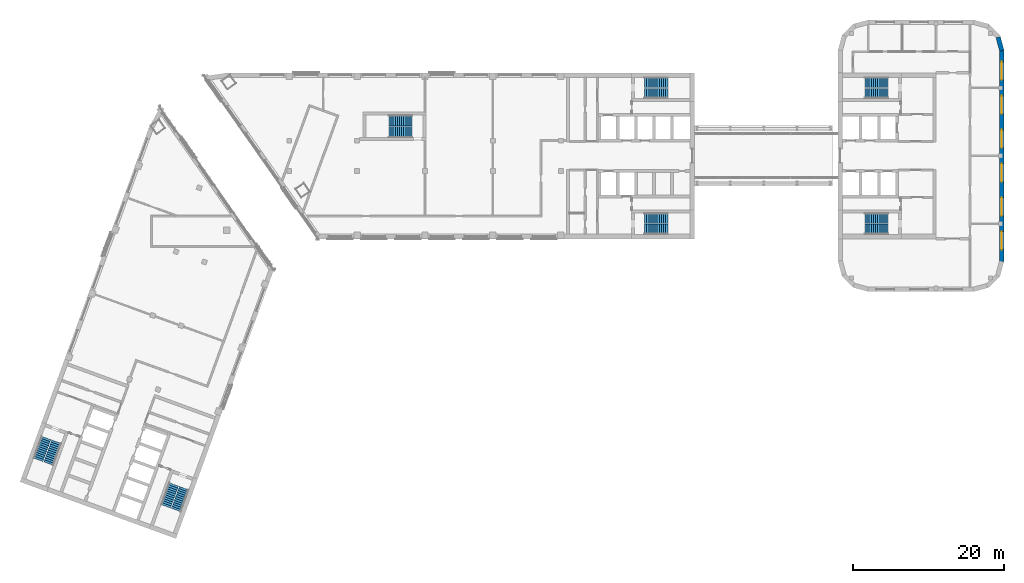
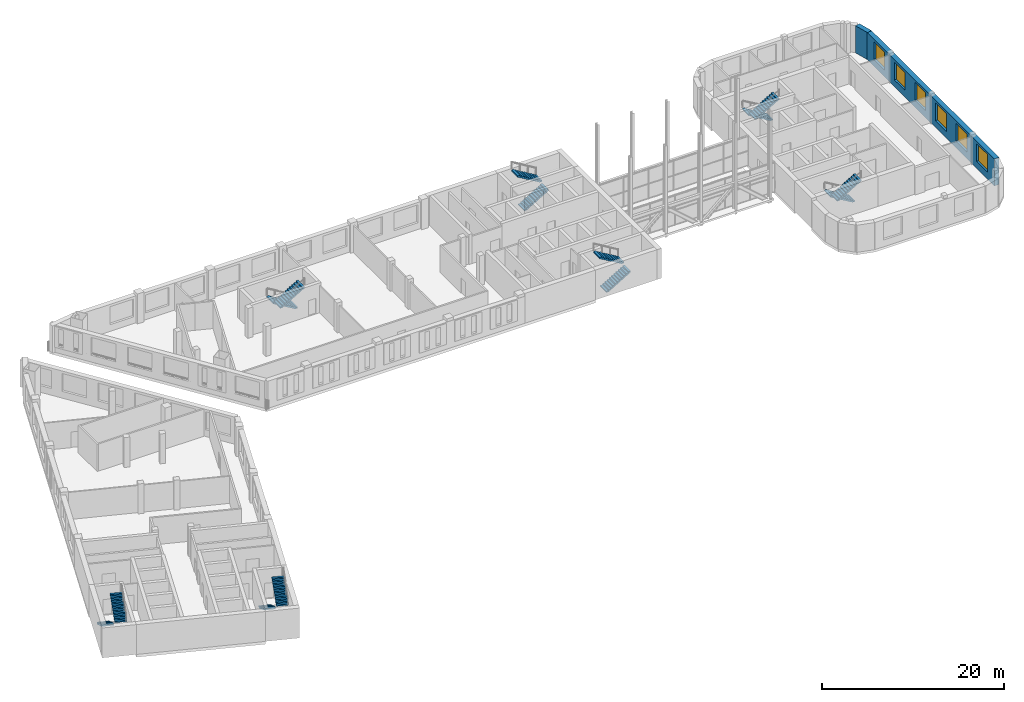
# One storey, part 10 of 11: 14 stair flights, 6 windows, 2 walls, 6 openings, 7 elements without a shape of their own.
"""IFC4 building model written with IfcOpenShell, lengths in metres."""

from ifc_helpers import new_model, si_unit, direction, frame, frame_2d, origin, place, context, subcontext, project, spatial, polyline, rectangle, outline, extrude, material, layer, layer_set, type_object, element, fill, aggregate, save


model = new_model("IFC4")

# Units and contexts
model_context = context("Model", 3, precision=1e-05, world=origin(), true_north=direction((0.0, 1.0)))
body_context = subcontext(model_context, "Body", "Model", "MODEL_VIEW")
ifc_project = project(units=[si_unit("LENGTHUNIT", "METRE"), si_unit("AREAUNIT", "SQUARE_METRE"), si_unit("VOLUMEUNIT", "CUBIC_METRE"), si_unit("PLANEANGLEUNIT", "RADIAN"), si_unit("MASSUNIT", "GRAM", prefix="KILO")], contexts=[model_context])

# Site, building, storey
site_placement = place(None, origin())
site = spatial("IfcSite", under=ifc_project, at=site_placement, CompositionType="ELEMENT")
building_placement = place(site_placement, origin())
building = spatial("IfcBuilding", under=site, at=building_placement, Name="Skarvind Civic Tower", CompositionType="ELEMENT")
storey_placement = place(building_placement, frame((0.0, 0.0, 109.0)))
storey = spatial("IfcBuildingStorey", under=building, at=storey_placement, Name="L25", CompositionType="ELEMENT", Elevation=109.0)

# Wall, openings, windows
ifc_material_1 = material(Name="Limestone masonry cladding on insulated backing", Category="masonry")
ifc_layer = layer(ifc_material_1, 0.60009765625)
ifc_layer_set = layer_set([ifc_layer], Name="WX1 STONE FACADE WALL 600")
wall_type = type_object("IfcWallType", Name="WX1 STONE FACADE WALL 600", PredefinedType="SOLIDWALL", material=ifc_layer_set)
wall_1_placement = place(storey_placement, frame((148.699951171875, 141.929931640625, 0.0), z_axis=(0.0, 0.0, 1.0), x_axis=(0.0, -1.0, 0.0)))
wall_1 = element("IfcWall", 1, at=wall_1_placement, inside=storey, type_object=wall_type, Name="STONE FACADE WALL", PredefinedType="SOLIDWALL", context=body_context, shape_type="SweptSolid", body=[
    extrude(rectangle(XDim=27.929931640625, YDim=0.60009765625, at=frame_2d((13.96484375, 0.0))), origin(), (0.0, 0.0, 1.0), 3.625),
])
opening_1_placement = place(wall_1_placement, frame((1.47998046875, 0.0, 0.89990234375)))
opening_1 = element("IfcOpeningElement", 2, at=opening_1_placement, cuts=wall_1, Name="Opening WN9", PredefinedType="OPENING", context=body_context, shape_type="SweptSolid", body=[
    extrude(rectangle(XDim=2.39990234375, YDim=2.39990234375, at=frame_2d((1.199951171875, 1.199951171875))), frame((0.0, 0.31005859375, 0.0), z_axis=(0.0, -1.0, 0.0), x_axis=(1.0, 0.0, 0.0)), (0.0, 0.0, 1.0), 0.6201171875),
])
opening_2_placement = place(wall_1_placement, frame((5.97998046875, 0.0, 0.89990234375)))
opening_2 = element("IfcOpeningElement", 3, at=opening_2_placement, cuts=wall_1, Name="Opening WN9", PredefinedType="OPENING", context=body_context, shape_type="SweptSolid", body=[
    extrude(rectangle(XDim=2.39990234375, YDim=2.39990234375, at=frame_2d((1.199951171875, 1.199951171875))), frame((0.0, 0.31005859375, 0.0), z_axis=(0.0, -1.0, 0.0), x_axis=(1.0, 0.0, 0.0)), (0.0, 0.0, 1.0), 0.6201171875),
])
opening_3_placement = place(wall_1_placement, frame((10.47998046875, 0.0, 0.89990234375)))
opening_3 = element("IfcOpeningElement", 4, at=opening_3_placement, cuts=wall_1, Name="Opening WN9", PredefinedType="OPENING", context=body_context, shape_type="SweptSolid", body=[
    extrude(rectangle(XDim=2.39990234375, YDim=2.39990234375, at=frame_2d((1.199951171875, 1.199951171875))), frame((0.0, 0.31005859375, 0.0), z_axis=(0.0, -1.0, 0.0), x_axis=(1.0, 0.0, 0.0)), (0.0, 0.0, 1.0), 0.6201171875),
])
opening_4_placement = place(wall_1_placement, frame((14.97998046875, 0.0, 0.89990234375)))
opening_4 = element("IfcOpeningElement", 5, at=opening_4_placement, cuts=wall_1, Name="Opening WN9", PredefinedType="OPENING", context=body_context, shape_type="SweptSolid", body=[
    extrude(rectangle(XDim=2.39990234375, YDim=2.39990234375, at=frame_2d((1.199951171875, 1.199951171875))), frame((0.0, 0.31005859375, 0.0), z_axis=(0.0, -1.0, 0.0), x_axis=(1.0, 0.0, 0.0)), (0.0, 0.0, 1.0), 0.6201171875),
])
opening_5_placement = place(wall_1_placement, frame((19.47998046875, 0.0, 0.89990234375)))
opening_5 = element("IfcOpeningElement", 6, at=opening_5_placement, cuts=wall_1, Name="Opening WN9", PredefinedType="OPENING", context=body_context, shape_type="SweptSolid", body=[
    extrude(rectangle(XDim=2.39990234375, YDim=2.39990234375, at=frame_2d((1.199951171875, 1.199951171875))), frame((0.0, 0.31005859375, 0.0), z_axis=(0.0, -1.0, 0.0), x_axis=(1.0, 0.0, 0.0)), (0.0, 0.0, 1.0), 0.6201171875),
])
opening_6_placement = place(wall_1_placement, frame((23.97998046875, 0.0, 0.89990234375)))
opening_6 = element("IfcOpeningElement", 7, at=opening_6_placement, cuts=wall_1, Name="Opening WN9", PredefinedType="OPENING", context=body_context, shape_type="SweptSolid", body=[
    extrude(rectangle(XDim=2.39990234375, YDim=2.39990234375, at=frame_2d((1.199951171875, 1.199951171875))), frame((0.0, 0.31005859375, 0.0), z_axis=(0.0, -1.0, 0.0), x_axis=(1.0, 0.0, 0.0)), (0.0, 0.0, 1.0), 0.6201171875),
])
ifc_material_2 = material(Name="Timber frame, double glazing, timber-lined reveal", Category="wood")
window_type = type_object("IfcWindowType", Name="WN9 COMPANION TOWER WINDOW 2400 x 2400", PartitioningType="SINGLE_PANEL", PredefinedType="WINDOW", material=ifc_material_2)
window_1_placement = place(opening_1_placement, origin())
window_1 = element("IfcWindow", 8, at=window_1_placement, inside=storey, type_object=window_type, Name="WN9 WINDOW", OverallHeight=2.39990234375, OverallWidth=2.39990234375, PartitioningType="SINGLE_PANEL", PredefinedType="WINDOW", context=body_context, shape_type="SweptSolid", body=[
    extrude(rectangle(XDim=2.39990234375, YDim=2.39990234375, at=frame_2d((1.199951171875, 1.199951171875))), frame((0.0, 0.030029296875, 0.0), z_axis=(0.0, -1.0, 0.0), x_axis=(1.0, 0.0, 0.0)), (0.0, 0.0, 1.0), 0.06005859375),
])
fill(opening_1, window_1)
window_2_placement = place(opening_2_placement, origin())
window_2 = element("IfcWindow", 9, at=window_2_placement, inside=storey, type_object=window_type, Name="WN9 WINDOW", OverallHeight=2.39990234375, OverallWidth=2.39990234375, PartitioningType="SINGLE_PANEL", PredefinedType="WINDOW", context=body_context, shape_type="SweptSolid", body=[
    extrude(rectangle(XDim=2.39990234375, YDim=2.39990234375, at=frame_2d((1.199951171875, 1.199951171875))), frame((0.0, 0.030029296875, 0.0), z_axis=(0.0, -1.0, 0.0), x_axis=(1.0, 0.0, 0.0)), (0.0, 0.0, 1.0), 0.06005859375),
])
fill(opening_2, window_2)
window_3_placement = place(opening_3_placement, origin())
window_3 = element("IfcWindow", 10, at=window_3_placement, inside=storey, type_object=window_type, Name="WN9 WINDOW", OverallHeight=2.39990234375, OverallWidth=2.39990234375, PartitioningType="SINGLE_PANEL", PredefinedType="WINDOW", context=body_context, shape_type="SweptSolid", body=[
    extrude(rectangle(XDim=2.39990234375, YDim=2.39990234375, at=frame_2d((1.199951171875, 1.199951171875))), frame((0.0, 0.030029296875, 0.0), z_axis=(0.0, -1.0, 0.0), x_axis=(1.0, 0.0, 0.0)), (0.0, 0.0, 1.0), 0.06005859375),
])
fill(opening_3, window_3)
window_4_placement = place(opening_4_placement, origin())
window_4 = element("IfcWindow", 11, at=window_4_placement, inside=storey, type_object=window_type, Name="WN9 WINDOW", OverallHeight=2.39990234375, OverallWidth=2.39990234375, PartitioningType="SINGLE_PANEL", PredefinedType="WINDOW", context=body_context, shape_type="SweptSolid", body=[
    extrude(rectangle(XDim=2.39990234375, YDim=2.39990234375, at=frame_2d((1.199951171875, 1.199951171875))), frame((0.0, 0.030029296875, 0.0), z_axis=(0.0, -1.0, 0.0), x_axis=(1.0, 0.0, 0.0)), (0.0, 0.0, 1.0), 0.06005859375),
])
fill(opening_4, window_4)
window_5_placement = place(opening_5_placement, origin())
window_5 = element("IfcWindow", 12, at=window_5_placement, inside=storey, type_object=window_type, Name="WN9 WINDOW", OverallHeight=2.39990234375, OverallWidth=2.39990234375, PartitioningType="SINGLE_PANEL", PredefinedType="WINDOW", context=body_context, shape_type="SweptSolid", body=[
    extrude(rectangle(XDim=2.39990234375, YDim=2.39990234375, at=frame_2d((1.199951171875, 1.199951171875))), frame((0.0, 0.030029296875, 0.0), z_axis=(0.0, -1.0, 0.0), x_axis=(1.0, 0.0, 0.0)), (0.0, 0.0, 1.0), 0.06005859375),
])
fill(opening_5, window_5)
window_6_placement = place(opening_6_placement, origin())
window_6 = element("IfcWindow", 13, at=window_6_placement, inside=storey, type_object=window_type, Name="WN9 WINDOW", OverallHeight=2.39990234375, OverallWidth=2.39990234375, PartitioningType="SINGLE_PANEL", PredefinedType="WINDOW", context=body_context, shape_type="SweptSolid", body=[
    extrude(rectangle(XDim=2.39990234375, YDim=2.39990234375, at=frame_2d((1.199951171875, 1.199951171875))), frame((0.0, 0.030029296875, 0.0), z_axis=(0.0, -1.0, 0.0), x_axis=(1.0, 0.0, 0.0)), (0.0, 0.0, 1.0), 0.06005859375),
])
fill(opening_6, window_6)

# Wall
wall_2_placement = place(storey_placement, frame((148.228759765625, 143.719482421875, 0.0), z_axis=(0.0, 0.0, 1.0), x_axis=(0.258773254036, -0.965938094805, 0.0)))
element("IfcWall", 14, at=wall_2_placement, inside=storey, type_object=wall_type, Name="STONE FACADE WALL", PredefinedType="SOLIDWALL", context=body_context, shape_type="SweptSolid", body=[
    extrude(rectangle(XDim=1.860595703125, YDim=0.60009765625, at=frame_2d((0.93017578125, 0.0))), origin(), (0.0, 0.0, 1.0), 3.625),
])

# Stair, stair flights
ifc_material_3 = material(Name="Concrete C40/50", Category="concrete")
stair_type_1 = type_object("IfcStairType", Name="Exit stair 1450, half-turn, concrete", PredefinedType="HALF_TURN_STAIR", material=ifc_material_3)
stair_1_placement = place(storey_placement, origin())
stair_1 = element("IfcStair", 15, at=stair_1_placement, inside=storey, type_object=stair_type_1, Name="Exit stair CM", PredefinedType="HALF_TURN_STAIR")
stair_flight_type_1 = type_object("IfcStairFlightType", Name="Stair flight 1450, concrete", PredefinedType="STRAIGHT", material=ifc_material_3)
stair_flight_1_placement = place(storey_placement, frame((70.550048828125, 132.675048828125, 0.0), z_axis=(0.0, 0.0, 1.0), x_axis=(-1.0, 0.0, 0.0)))
stair_flight_1 = element("IfcStairFlight", 16, at=stair_flight_1_placement, type_object=stair_flight_type_1, Name="ST-CM flight 1", NumberOfRisers=12, NumberOfTreads=11, PredefinedType="STRAIGHT", RiserHeight=0.166666667, TreadLength=0.28, context=body_context, shape_type="SweptSolid", body=[
    extrude(outline(polyline([(0.0, 0.0), (0.0, 0.166748046875), (0.280029296875, 0.166748046875), (0.280029296875, 0.333251953125), (0.56005859375, 0.333251953125), (0.56005859375, 0.5), (0.840087890625, 0.5), (0.840087890625, 0.666748046875), (1.1201171875, 0.666748046875), (1.1201171875, 0.833251953125), (1.39990234375, 0.833251953125), (1.39990234375, 1.0), (1.679931640625, 1.0), (1.679931640625, 1.166748046875), (1.9599609375, 1.166748046875), (1.9599609375, 1.333251953125), (2.239990234375, 1.333251953125), (2.239990234375, 1.5), (2.52001953125, 1.5), (2.52001953125, 1.666748046875), (2.800048828125, 1.666748046875), (2.800048828125, 1.833251953125), (3.080078125, 1.833251953125), (3.080078125, 2.0), (3.080078125, 1.658935546875), (0.29296875, 0.0), (0.0, 0.0)])), frame((0.0, 0.72509765625, 0.0), z_axis=(0.0, -1.0, 0.0), x_axis=(1.0, 0.0, 0.0)), (0.0, 0.0, 1.0), 1.449951171875),
])
stair_flight_2_placement = place(storey_placement, frame((67.469970703125, 131.125, 2.0), z_axis=(0.0, 0.0, 1.0), x_axis=(1.0, 0.0, 0.0)))
stair_flight_2 = element("IfcStairFlight", 17, at=stair_flight_2_placement, type_object=stair_flight_type_1, Name="ST-CM flight 2", NumberOfRisers=12, NumberOfTreads=11, PredefinedType="STRAIGHT", RiserHeight=0.166666667, TreadLength=0.28, context=body_context, shape_type="SweptSolid", body=[
    extrude(outline(polyline([(0.0, 0.0), (0.0, 0.166748046875), (0.280029296875, 0.166748046875), (0.280029296875, 0.333251953125), (0.56005859375, 0.333251953125), (0.56005859375, 0.5), (0.840087890625, 0.5), (0.840087890625, 0.666748046875), (1.1201171875, 0.666748046875), (1.1201171875, 0.833251953125), (1.39990234375, 0.833251953125), (1.39990234375, 1.0), (1.679931640625, 1.0), (1.679931640625, 1.166748046875), (1.9599609375, 1.166748046875), (1.9599609375, 1.333251953125), (2.239990234375, 1.333251953125), (2.239990234375, 1.5), (2.52001953125, 1.5), (2.52001953125, 1.666748046875), (2.800048828125, 1.666748046875), (2.800048828125, 1.833251953125), (3.080078125, 1.833251953125), (3.080078125, 2.0), (3.080078125, 1.658935546875), (0.29296875, 0.0), (0.0, 0.0)])), frame((0.0, 0.72509765625, 0.0), z_axis=(0.0, -1.0, 0.0), x_axis=(1.0, 0.0, 0.0)), (0.0, 0.0, 1.0), 1.449951171875),
])
aggregate(stair_1, [stair_flight_1, stair_flight_2])

stair_type_2 = type_object("IfcStairType", Name="Exit stair, half-turn, concrete", PredefinedType="HALF_TURN_STAIR", material=ifc_material_3)
stair_2_placement = place(storey_placement, origin())
stair_2 = element("IfcStair", 18, at=stair_2_placement, inside=storey, type_object=stair_type_2, Name="Exit stair C1S", PredefinedType="HALF_TURN_STAIR")
stair_flight_type_2 = type_object("IfcStairFlightType", Name="Stair flight, concrete", PredefinedType="STRAIGHT", material=ifc_material_3)
stair_flight_3_placement = place(storey_placement, frame((101.35009765625, 136.27490234375, 0.0), z_axis=(0.0, 0.0, 1.0), x_axis=(1.0, 0.0, 0.0)))
stair_flight_3 = element("IfcStairFlight", 19, at=stair_flight_3_placement, type_object=stair_flight_type_2, Name="ST-C1S flight 1", NumberOfRisers=12, NumberOfTreads=11, PredefinedType="STRAIGHT", RiserHeight=0.166666667, TreadLength=0.28, context=body_context, shape_type="SweptSolid", body=[
    extrude(outline(polyline([(0.0, 0.0), (0.0, 0.166748046875), (0.280029296875, 0.166748046875), (0.280029296875, 0.333251953125), (0.56005859375, 0.333251953125), (0.56005859375, 0.5), (0.840087890625, 0.5), (0.840087890625, 0.666748046875), (1.1201171875, 0.666748046875), (1.1201171875, 0.833251953125), (1.39990234375, 0.833251953125), (1.39990234375, 1.0), (1.679931640625, 1.0), (1.679931640625, 1.166748046875), (1.9599609375, 1.166748046875), (1.9599609375, 1.333251953125), (2.239990234375, 1.333251953125), (2.239990234375, 1.5), (2.52001953125, 1.5), (2.52001953125, 1.666748046875), (2.800048828125, 1.666748046875), (2.800048828125, 1.833251953125), (3.080078125, 1.833251953125), (3.080078125, 2.0), (3.080078125, 1.658935546875), (0.29296875, 0.0), (0.0, 0.0)])), frame((0.0, 0.675048828125, 0.0), z_axis=(0.0, -1.0, 0.0), x_axis=(1.0, 0.0, 0.0)), (0.0, 0.0, 1.0), 1.35009765625),
])
stair_flight_4_placement = place(storey_placement, frame((104.429931640625, 137.72509765625, 2.0), z_axis=(0.0, 0.0, 1.0), x_axis=(-1.0, 0.0, 0.0)))
stair_flight_4 = element("IfcStairFlight", 20, at=stair_flight_4_placement, type_object=stair_flight_type_2, Name="ST-C1S flight 2", NumberOfRisers=12, NumberOfTreads=11, PredefinedType="STRAIGHT", RiserHeight=0.166666667, TreadLength=0.28, context=body_context, shape_type="SweptSolid", body=[
    extrude(outline(polyline([(0.0, 0.0), (0.0, 0.166748046875), (0.280029296875, 0.166748046875), (0.280029296875, 0.333251953125), (0.56005859375, 0.333251953125), (0.56005859375, 0.5), (0.840087890625, 0.5), (0.840087890625, 0.666748046875), (1.1201171875, 0.666748046875), (1.1201171875, 0.833251953125), (1.39990234375, 0.833251953125), (1.39990234375, 1.0), (1.679931640625, 1.0), (1.679931640625, 1.166748046875), (1.9599609375, 1.166748046875), (1.9599609375, 1.333251953125), (2.239990234375, 1.333251953125), (2.239990234375, 1.5), (2.52001953125, 1.5), (2.52001953125, 1.666748046875), (2.800048828125, 1.666748046875), (2.800048828125, 1.833251953125), (3.080078125, 1.833251953125), (3.080078125, 2.0), (3.080078125, 1.658935546875), (0.29296875, 0.0), (0.0, 0.0)])), frame((0.0, 0.675048828125, 0.0), z_axis=(0.0, -1.0, 0.0), x_axis=(1.0, 0.0, 0.0)), (0.0, 0.0, 1.0), 1.35009765625),
])
aggregate(stair_2, [stair_flight_3, stair_flight_4])

stair_3_placement = place(storey_placement, origin())
stair_3 = element("IfcStair", 21, at=stair_3_placement, inside=storey, type_object=stair_type_2, Name="Exit stair C1N", PredefinedType="HALF_TURN_STAIR")
stair_flight_5_placement = place(storey_placement, frame((101.35009765625, 118.27490234375, 0.0), z_axis=(0.0, 0.0, 1.0), x_axis=(1.0, 0.0, 0.0)))
stair_flight_5 = element("IfcStairFlight", 22, at=stair_flight_5_placement, type_object=stair_flight_type_2, Name="ST-C1N flight 1", NumberOfRisers=12, NumberOfTreads=11, PredefinedType="STRAIGHT", RiserHeight=0.166666667, TreadLength=0.28, context=body_context, shape_type="SweptSolid", body=[
    extrude(outline(polyline([(0.0, 0.0), (0.0, 0.166748046875), (0.280029296875, 0.166748046875), (0.280029296875, 0.333251953125), (0.56005859375, 0.333251953125), (0.56005859375, 0.5), (0.840087890625, 0.5), (0.840087890625, 0.666748046875), (1.1201171875, 0.666748046875), (1.1201171875, 0.833251953125), (1.39990234375, 0.833251953125), (1.39990234375, 1.0), (1.679931640625, 1.0), (1.679931640625, 1.166748046875), (1.9599609375, 1.166748046875), (1.9599609375, 1.333251953125), (2.239990234375, 1.333251953125), (2.239990234375, 1.5), (2.52001953125, 1.5), (2.52001953125, 1.666748046875), (2.800048828125, 1.666748046875), (2.800048828125, 1.833251953125), (3.080078125, 1.833251953125), (3.080078125, 2.0), (3.080078125, 1.658935546875), (0.29296875, 0.0), (0.0, 0.0)])), frame((0.0, 0.675048828125, 0.0), z_axis=(0.0, -1.0, 0.0), x_axis=(1.0, 0.0, 0.0)), (0.0, 0.0, 1.0), 1.35009765625),
])
stair_flight_6_placement = place(storey_placement, frame((104.429931640625, 119.72509765625, 2.0), z_axis=(0.0, 0.0, 1.0), x_axis=(-1.0, 0.0, 0.0)))
stair_flight_6 = element("IfcStairFlight", 23, at=stair_flight_6_placement, type_object=stair_flight_type_2, Name="ST-C1N flight 2", NumberOfRisers=12, NumberOfTreads=11, PredefinedType="STRAIGHT", RiserHeight=0.166666667, TreadLength=0.28, context=body_context, shape_type="SweptSolid", body=[
    extrude(outline(polyline([(0.0, 0.0), (0.0, 0.166748046875), (0.280029296875, 0.166748046875), (0.280029296875, 0.333251953125), (0.56005859375, 0.333251953125), (0.56005859375, 0.5), (0.840087890625, 0.5), (0.840087890625, 0.666748046875), (1.1201171875, 0.666748046875), (1.1201171875, 0.833251953125), (1.39990234375, 0.833251953125), (1.39990234375, 1.0), (1.679931640625, 1.0), (1.679931640625, 1.166748046875), (1.9599609375, 1.166748046875), (1.9599609375, 1.333251953125), (2.239990234375, 1.333251953125), (2.239990234375, 1.5), (2.52001953125, 1.5), (2.52001953125, 1.666748046875), (2.800048828125, 1.666748046875), (2.800048828125, 1.833251953125), (3.080078125, 1.833251953125), (3.080078125, 2.0), (3.080078125, 1.658935546875), (0.29296875, 0.0), (0.0, 0.0)])), frame((0.0, 0.675048828125, 0.0), z_axis=(0.0, -1.0, 0.0), x_axis=(1.0, 0.0, 0.0)), (0.0, 0.0, 1.0), 1.35009765625),
])
aggregate(stair_3, [stair_flight_5, stair_flight_6])

stair_4_placement = place(storey_placement, origin())
stair_4 = element("IfcStair", 24, at=stair_4_placement, inside=storey, type_object=stair_type_2, Name="Exit stair C2S", PredefinedType="HALF_TURN_STAIR")
stair_flight_7_placement = place(storey_placement, frame((38.949462890625, 84.43408203125, 0.0), z_axis=(0.0, 0.0, 1.0), x_axis=(-0.342020143326, -0.939692620786, 0.0)))
stair_flight_7 = element("IfcStairFlight", 25, at=stair_flight_7_placement, type_object=stair_flight_type_2, Name="ST-C2S flight 1", NumberOfRisers=12, NumberOfTreads=11, PredefinedType="STRAIGHT", RiserHeight=0.166666667, TreadLength=0.28, context=body_context, shape_type="SweptSolid", body=[
    extrude(outline(polyline([(0.0, 0.0), (0.0, 0.166748046875), (0.280029296875, 0.166748046875), (0.280029296875, 0.333251953125), (0.56005859375, 0.333251953125), (0.56005859375, 0.5), (0.840087890625, 0.5), (0.840087890625, 0.666748046875), (1.1201171875, 0.666748046875), (1.1201171875, 0.833251953125), (1.39990234375, 0.833251953125), (1.39990234375, 1.0), (1.679931640625, 1.0), (1.679931640625, 1.166748046875), (1.9599609375, 1.166748046875), (1.9599609375, 1.333251953125), (2.239990234375, 1.333251953125), (2.239990234375, 1.5), (2.52001953125, 1.5), (2.52001953125, 1.666748046875), (2.800048828125, 1.666748046875), (2.800048828125, 1.833251953125), (3.080078125, 1.833251953125), (3.080078125, 2.0), (3.080078125, 1.658935546875), (0.29296875, 0.0), (0.0, 0.0)])), frame((0.0, 0.675048828125, 0.0), z_axis=(0.0, -1.0, 0.0), x_axis=(1.0, 0.0, 0.0)), (0.0, 0.0, 1.0), 1.35009765625),
])
stair_flight_8_placement = place(storey_placement, frame((39.258544921875, 81.0439453125, 2.0), z_axis=(0.0, 0.0, 1.0), x_axis=(0.342020143326, 0.939692620786, 0.0)))
stair_flight_8 = element("IfcStairFlight", 26, at=stair_flight_8_placement, type_object=stair_flight_type_2, Name="ST-C2S flight 2", NumberOfRisers=12, NumberOfTreads=11, PredefinedType="STRAIGHT", RiserHeight=0.166666667, TreadLength=0.28, context=body_context, shape_type="SweptSolid", body=[
    extrude(outline(polyline([(0.0, 0.0), (0.0, 0.166748046875), (0.280029296875, 0.166748046875), (0.280029296875, 0.333251953125), (0.56005859375, 0.333251953125), (0.56005859375, 0.5), (0.840087890625, 0.5), (0.840087890625, 0.666748046875), (1.1201171875, 0.666748046875), (1.1201171875, 0.833251953125), (1.39990234375, 0.833251953125), (1.39990234375, 1.0), (1.679931640625, 1.0), (1.679931640625, 1.166748046875), (1.9599609375, 1.166748046875), (1.9599609375, 1.333251953125), (2.239990234375, 1.333251953125), (2.239990234375, 1.5), (2.52001953125, 1.5), (2.52001953125, 1.666748046875), (2.800048828125, 1.666748046875), (2.800048828125, 1.833251953125), (3.080078125, 1.833251953125), (3.080078125, 2.0), (3.080078125, 1.658935546875), (0.29296875, 0.0), (0.0, 0.0)])), frame((0.0, 0.675048828125, 0.0), z_axis=(0.0, -1.0, 0.0), x_axis=(1.0, 0.0, 0.0)), (0.0, 0.0, 1.0), 1.35009765625),
])
aggregate(stair_4, [stair_flight_7, stair_flight_8])

stair_5_placement = place(storey_placement, origin())
stair_5 = element("IfcStair", 27, at=stair_5_placement, inside=storey, type_object=stair_type_2, Name="Exit stair C2N", PredefinedType="HALF_TURN_STAIR")
stair_flight_9_placement = place(storey_placement, frame((22.034912109375, 90.590576171875, 0.0), z_axis=(0.0, 0.0, 1.0), x_axis=(-0.342020143326, -0.939692620786, 0.0)))
stair_flight_9 = element("IfcStairFlight", 28, at=stair_flight_9_placement, type_object=stair_flight_type_2, Name="ST-C2N flight 1", NumberOfRisers=12, NumberOfTreads=11, PredefinedType="STRAIGHT", RiserHeight=0.166666667, TreadLength=0.28, context=body_context, shape_type="SweptSolid", body=[
    extrude(outline(polyline([(0.0, 0.0), (0.0, 0.166748046875), (0.280029296875, 0.166748046875), (0.280029296875, 0.333251953125), (0.56005859375, 0.333251953125), (0.56005859375, 0.5), (0.840087890625, 0.5), (0.840087890625, 0.666748046875), (1.1201171875, 0.666748046875), (1.1201171875, 0.833251953125), (1.39990234375, 0.833251953125), (1.39990234375, 1.0), (1.679931640625, 1.0), (1.679931640625, 1.166748046875), (1.9599609375, 1.166748046875), (1.9599609375, 1.333251953125), (2.239990234375, 1.333251953125), (2.239990234375, 1.5), (2.52001953125, 1.5), (2.52001953125, 1.666748046875), (2.800048828125, 1.666748046875), (2.800048828125, 1.833251953125), (3.080078125, 1.833251953125), (3.080078125, 2.0), (3.080078125, 1.658935546875), (0.29296875, 0.0), (0.0, 0.0)])), frame((0.0, 0.675048828125, 0.0), z_axis=(0.0, -1.0, 0.0), x_axis=(1.0, 0.0, 0.0)), (0.0, 0.0, 1.0), 1.35009765625),
])
stair_flight_10_placement = place(storey_placement, frame((22.343994140625, 87.2001953125, 2.0), z_axis=(0.0, 0.0, 1.0), x_axis=(0.342020143326, 0.939692620786, 0.0)))
stair_flight_10 = element("IfcStairFlight", 29, at=stair_flight_10_placement, type_object=stair_flight_type_2, Name="ST-C2N flight 2", NumberOfRisers=12, NumberOfTreads=11, PredefinedType="STRAIGHT", RiserHeight=0.166666667, TreadLength=0.28, context=body_context, shape_type="SweptSolid", body=[
    extrude(outline(polyline([(0.0, 0.0), (0.0, 0.166748046875), (0.280029296875, 0.166748046875), (0.280029296875, 0.333251953125), (0.56005859375, 0.333251953125), (0.56005859375, 0.5), (0.840087890625, 0.5), (0.840087890625, 0.666748046875), (1.1201171875, 0.666748046875), (1.1201171875, 0.833251953125), (1.39990234375, 0.833251953125), (1.39990234375, 1.0), (1.679931640625, 1.0), (1.679931640625, 1.166748046875), (1.9599609375, 1.166748046875), (1.9599609375, 1.333251953125), (2.239990234375, 1.333251953125), (2.239990234375, 1.5), (2.52001953125, 1.5), (2.52001953125, 1.666748046875), (2.800048828125, 1.666748046875), (2.800048828125, 1.833251953125), (3.080078125, 1.833251953125), (3.080078125, 2.0), (3.080078125, 1.658935546875), (0.29296875, 0.0), (0.0, 0.0)])), frame((0.0, 0.675048828125, 0.0), z_axis=(0.0, -1.0, 0.0), x_axis=(1.0, 0.0, 0.0)), (0.0, 0.0, 1.0), 1.35009765625),
])
aggregate(stair_5, [stair_flight_9, stair_flight_10])

stair_6_placement = place(storey_placement, origin())
stair_6 = element("IfcStair", 30, at=stair_6_placement, inside=storey, type_object=stair_type_2, Name="Exit stair CAS", PredefinedType="HALF_TURN_STAIR")
stair_flight_11_placement = place(storey_placement, frame((133.64990234375, 119.72509765625, 0.0), z_axis=(0.0, 0.0, 1.0), x_axis=(-1.0, 0.0, 0.0)))
stair_flight_11 = element("IfcStairFlight", 31, at=stair_flight_11_placement, type_object=stair_flight_type_2, Name="ST-CAS flight 1", NumberOfRisers=12, NumberOfTreads=11, PredefinedType="STRAIGHT", RiserHeight=0.166666667, TreadLength=0.28, context=body_context, shape_type="SweptSolid", body=[
    extrude(outline(polyline([(0.0, 0.0), (0.0, 0.166748046875), (0.280029296875, 0.166748046875), (0.280029296875, 0.333251953125), (0.56005859375, 0.333251953125), (0.56005859375, 0.5), (0.840087890625, 0.5), (0.840087890625, 0.666748046875), (1.1201171875, 0.666748046875), (1.1201171875, 0.833251953125), (1.39990234375, 0.833251953125), (1.39990234375, 1.0), (1.679931640625, 1.0), (1.679931640625, 1.166748046875), (1.9599609375, 1.166748046875), (1.9599609375, 1.333251953125), (2.239990234375, 1.333251953125), (2.239990234375, 1.5), (2.52001953125, 1.5), (2.52001953125, 1.666748046875), (2.800048828125, 1.666748046875), (2.800048828125, 1.833251953125), (3.080078125, 1.833251953125), (3.080078125, 2.0), (3.080078125, 1.658935546875), (0.29296875, 0.0), (0.0, 0.0)])), frame((0.0, 0.675048828125, 0.0), z_axis=(0.0, -1.0, 0.0), x_axis=(1.0, 0.0, 0.0)), (0.0, 0.0, 1.0), 1.35009765625),
])
stair_flight_12_placement = place(storey_placement, frame((130.570068359375, 118.27490234375, 2.0), z_axis=(0.0, 0.0, 1.0), x_axis=(1.0, 0.0, 0.0)))
stair_flight_12 = element("IfcStairFlight", 32, at=stair_flight_12_placement, type_object=stair_flight_type_2, Name="ST-CAS flight 2", NumberOfRisers=12, NumberOfTreads=11, PredefinedType="STRAIGHT", RiserHeight=0.166666667, TreadLength=0.28, context=body_context, shape_type="SweptSolid", body=[
    extrude(outline(polyline([(0.0, 0.0), (0.0, 0.166748046875), (0.280029296875, 0.166748046875), (0.280029296875, 0.333251953125), (0.56005859375, 0.333251953125), (0.56005859375, 0.5), (0.840087890625, 0.5), (0.840087890625, 0.666748046875), (1.1201171875, 0.666748046875), (1.1201171875, 0.833251953125), (1.39990234375, 0.833251953125), (1.39990234375, 1.0), (1.679931640625, 1.0), (1.679931640625, 1.166748046875), (1.9599609375, 1.166748046875), (1.9599609375, 1.333251953125), (2.239990234375, 1.333251953125), (2.239990234375, 1.5), (2.52001953125, 1.5), (2.52001953125, 1.666748046875), (2.800048828125, 1.666748046875), (2.800048828125, 1.833251953125), (3.080078125, 1.833251953125), (3.080078125, 2.0), (3.080078125, 1.658935546875), (0.29296875, 0.0), (0.0, 0.0)])), frame((0.0, 0.675048828125, 0.0), z_axis=(0.0, -1.0, 0.0), x_axis=(1.0, 0.0, 0.0)), (0.0, 0.0, 1.0), 1.35009765625),
])
aggregate(stair_6, [stair_flight_11, stair_flight_12])

stair_7_placement = place(storey_placement, origin())
stair_7 = element("IfcStair", 33, at=stair_7_placement, inside=storey, type_object=stair_type_2, Name="Exit stair CAN", PredefinedType="HALF_TURN_STAIR")
stair_flight_13_placement = place(storey_placement, frame((133.64990234375, 137.72509765625, 0.0), z_axis=(0.0, 0.0, 1.0), x_axis=(-1.0, 0.0, 0.0)))
stair_flight_13 = element("IfcStairFlight", 34, at=stair_flight_13_placement, type_object=stair_flight_type_2, Name="ST-CAN flight 1", NumberOfRisers=12, NumberOfTreads=11, PredefinedType="STRAIGHT", RiserHeight=0.166666667, TreadLength=0.28, context=body_context, shape_type="SweptSolid", body=[
    extrude(outline(polyline([(0.0, 0.0), (0.0, 0.166748046875), (0.280029296875, 0.166748046875), (0.280029296875, 0.333251953125), (0.56005859375, 0.333251953125), (0.56005859375, 0.5), (0.840087890625, 0.5), (0.840087890625, 0.666748046875), (1.1201171875, 0.666748046875), (1.1201171875, 0.833251953125), (1.39990234375, 0.833251953125), (1.39990234375, 1.0), (1.679931640625, 1.0), (1.679931640625, 1.166748046875), (1.9599609375, 1.166748046875), (1.9599609375, 1.333251953125), (2.239990234375, 1.333251953125), (2.239990234375, 1.5), (2.52001953125, 1.5), (2.52001953125, 1.666748046875), (2.800048828125, 1.666748046875), (2.800048828125, 1.833251953125), (3.080078125, 1.833251953125), (3.080078125, 2.0), (3.080078125, 1.658935546875), (0.29296875, 0.0), (0.0, 0.0)])), frame((0.0, 0.675048828125, 0.0), z_axis=(0.0, -1.0, 0.0), x_axis=(1.0, 0.0, 0.0)), (0.0, 0.0, 1.0), 1.35009765625),
])
stair_flight_14_placement = place(storey_placement, frame((130.570068359375, 136.27490234375, 2.0), z_axis=(0.0, 0.0, 1.0), x_axis=(1.0, 0.0, 0.0)))
stair_flight_14 = element("IfcStairFlight", 35, at=stair_flight_14_placement, type_object=stair_flight_type_2, Name="ST-CAN flight 2", NumberOfRisers=12, NumberOfTreads=11, PredefinedType="STRAIGHT", RiserHeight=0.166666667, TreadLength=0.28, context=body_context, shape_type="SweptSolid", body=[
    extrude(outline(polyline([(0.0, 0.0), (0.0, 0.166748046875), (0.280029296875, 0.166748046875), (0.280029296875, 0.333251953125), (0.56005859375, 0.333251953125), (0.56005859375, 0.5), (0.840087890625, 0.5), (0.840087890625, 0.666748046875), (1.1201171875, 0.666748046875), (1.1201171875, 0.833251953125), (1.39990234375, 0.833251953125), (1.39990234375, 1.0), (1.679931640625, 1.0), (1.679931640625, 1.166748046875), (1.9599609375, 1.166748046875), (1.9599609375, 1.333251953125), (2.239990234375, 1.333251953125), (2.239990234375, 1.5), (2.52001953125, 1.5), (2.52001953125, 1.666748046875), (2.800048828125, 1.666748046875), (2.800048828125, 1.833251953125), (3.080078125, 1.833251953125), (3.080078125, 2.0), (3.080078125, 1.658935546875), (0.29296875, 0.0), (0.0, 0.0)])), frame((0.0, 0.675048828125, 0.0), z_axis=(0.0, -1.0, 0.0), x_axis=(1.0, 0.0, 0.0)), (0.0, 0.0, 1.0), 1.35009765625),
])
aggregate(stair_7, [stair_flight_13, stair_flight_14])

save(model, "model.ifc")
